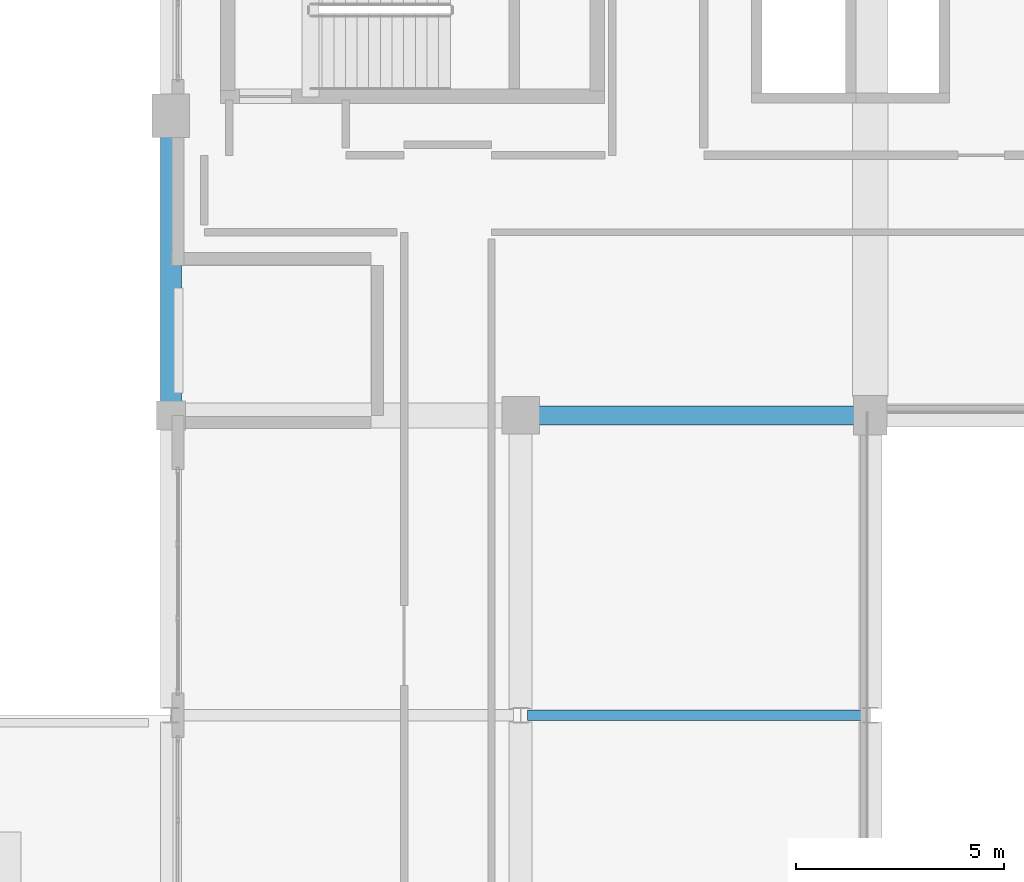
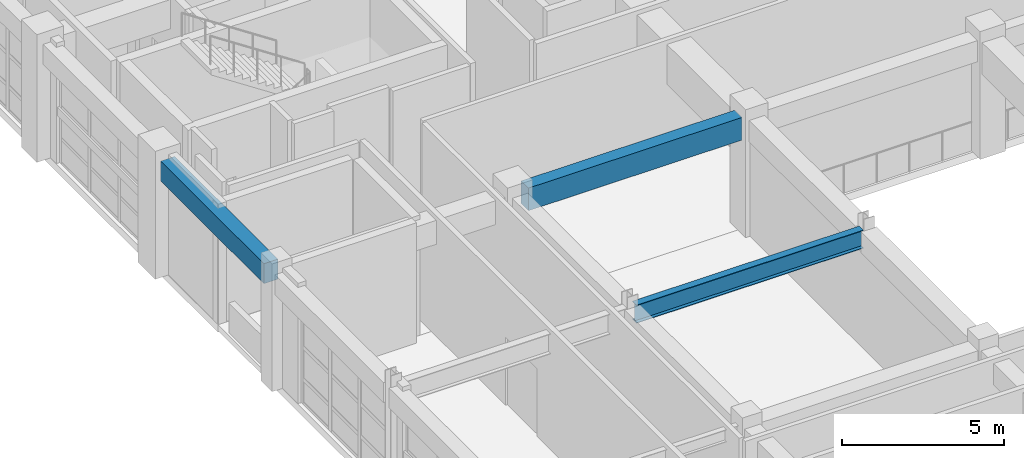
# One storey, part 39 of 123: 3 beams.
"""IFC4 building model written with IfcOpenShell, lengths in metres."""

from ifc_helpers import new_model, si_unit, direction, frame, origin, origin_2d, place, context, subcontext, project, spatial, rectangle, i_section, extrude, material, material_profile, profile_set, type_object, element, save


model = new_model("IFC4")

# Units and contexts
model_context = context("Model", 3, precision=1e-05, world=origin(), true_north=direction((0.0, 1.0)))
body_context = subcontext(model_context, "Body", "Model", "MODEL_VIEW")
ifc_project = project(units=[si_unit("LENGTHUNIT", "METRE"), si_unit("AREAUNIT", "SQUARE_METRE"), si_unit("VOLUMEUNIT", "CUBIC_METRE"), si_unit("PLANEANGLEUNIT", "RADIAN"), si_unit("MASSUNIT", "GRAM", prefix="KILO")], contexts=[model_context])

# Site, building, storey
site_placement = place(None, origin())
site = spatial("IfcSite", under=ifc_project, at=site_placement, CompositionType="ELEMENT")
building_placement = place(site_placement, origin())
building = spatial("IfcBuilding", under=site, at=building_placement, Name="Quendrovan Civic Courthouse", CompositionType="ELEMENT")
storey_placement = place(building_placement, frame((0.0, 0.0, 5.39990234375)))
storey = spatial("IfcBuildingStorey", under=building, at=storey_placement, Name="L02", CompositionType="ELEMENT", Elevation=5.39990234375)

# Beams
ifc_material_1 = material(Name="Concrete C40/50", Category="concrete")
ifc_material_profile_1 = material_profile(ifc_material_1, rectangle(XDim=0.5, YDim=0.75, at=origin_2d()), Name="RC-BM-500x750")
ifc_profile_set_1 = profile_set([ifc_material_profile_1], Name="Concrete C40/50")
beam_type_1 = type_object("IfcBeamType", Name="BM-RC750", PredefinedType="SPANDREL", material=ifc_profile_set_1)
beam_1_placement = place(storey_placement, frame((33.60009765625, 87.929931640625, 3.985107421875), z_axis=(0.0, 1.0, 0.0), x_axis=(-1.0, 0.0, 0.0)))
element("IfcBeam", 1, at=beam_1_placement, inside=storey, type_object=beam_type_1, Name="L02 Girder Y0640", PredefinedType="SPANDREL", context=body_context, shape_type="SweptSolid", body=[
    extrude(rectangle(XDim=0.5, YDim=0.75, at=origin_2d()), origin(), (0.0, 0.0, 1.0), 6.364990234375),
])
ifc_material_2 = material(Name="Concrete C45/55", Category="concrete")
ifc_material_profile_2 = material_profile(ifc_material_2, rectangle(XDim=0.449951171875, YDim=0.85009765625, at=origin_2d()), Name="RC-BM-450x850")
ifc_profile_set_2 = profile_set([ifc_material_profile_2], Name="Concrete C45/55")
beam_type_2 = type_object("IfcBeamType", Name="BM-RC850", PredefinedType="BEAM", material=ifc_profile_set_2)
beam_2_placement = place(storey_placement, frame((42.429931640625, 87.60009765625, 3.93505859375), z_axis=(1.0, 0.0, 0.0), x_axis=(0.0, 1.0, 0.0)))
element("IfcBeam", 2, at=beam_2_placement, inside=storey, type_object=beam_type_2, Name="L02 Girder X0552", PredefinedType="BEAM", context=body_context, shape_type="SweptSolid", body=[
    extrude(rectangle(XDim=0.449951171875, YDim=0.85009765625, at=origin_2d()), origin(), (0.0, 0.0, 1.0), 7.590087890625),
])
ifc_material_3 = material(Name="Steel ASTM A992 Grade 50", Category="steel")
ifc_material_profile_3 = material_profile(ifc_material_3, i_section(OverallWidth=0.25390625, OverallDepth=0.68408203125, WebThickness=0.012451171875, FlangeThickness=0.018798828125, at=origin_2d()), Name="W27X94")
ifc_profile_set_3 = profile_set([ifc_material_profile_3], Name="Steel ASTM A992 Grade 50")
beam_type_3 = type_object("IfcBeamType", Name="BM-STL-W27", PredefinedType="BEAM", material=ifc_profile_set_3)
beam_3_placement = place(storey_placement, frame((42.1669921875, 80.39990234375, 4.01806640625), z_axis=(1.0, 0.0, 0.0), x_axis=(0.0, 1.0, 0.0)))
element("IfcBeam", 3, at=beam_3_placement, inside=storey, type_object=beam_type_3, Name="L02 Girder X0547", PredefinedType="BEAM", context=body_context, shape_type="SweptSolid", body=[
    extrude(i_section(OverallWidth=0.25390625, OverallDepth=0.68408203125, WebThickness=0.012451171875, FlangeThickness=0.018798828125, at=origin_2d()), origin(), (0.0, 0.0, 1.0), 8.06591796875),
])

save(model, "model.ifc")
